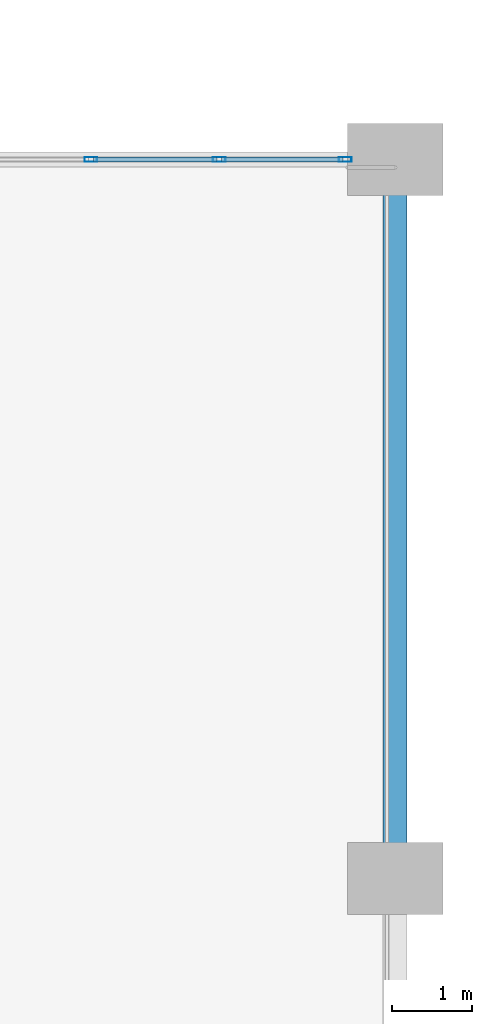
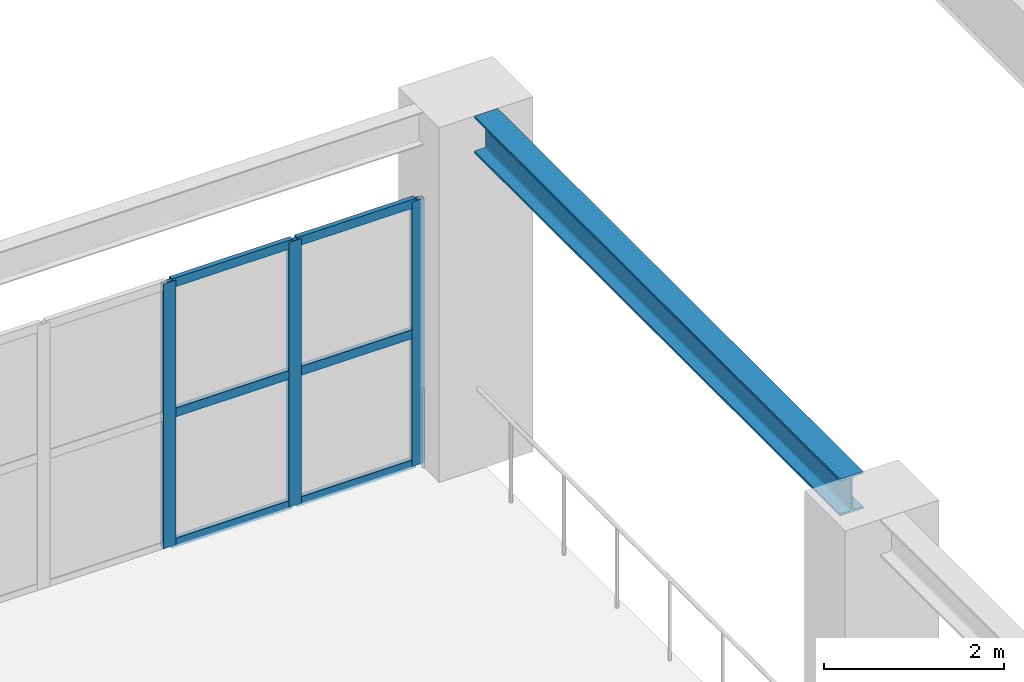
# One storey, part 49 of 89: 9 members, 1 beam, 1 element without a shape of its own.
"""IFC4 building model written with IfcOpenShell, lengths in metres."""

from ifc_helpers import new_model, si_unit, direction, frame, origin, origin_2d, place, context, subcontext, project, spatial, hollow_rectangle, i_section, extrude, material, layer, layer_set, material_profile, profile_set, type_object, element, aggregate, save


model = new_model("IFC4")

# Units and contexts
model_context = context("Model", 3, precision=1e-05, world=origin(), true_north=direction((0.0, 1.0)))
body_context = subcontext(model_context, "Body", "Model", "MODEL_VIEW")
ifc_project = project(units=[si_unit("LENGTHUNIT", "METRE"), si_unit("AREAUNIT", "SQUARE_METRE"), si_unit("VOLUMEUNIT", "CUBIC_METRE"), si_unit("PLANEANGLEUNIT", "RADIAN"), si_unit("MASSUNIT", "GRAM", prefix="KILO")], contexts=[model_context])

# Site, building, storey
site_placement = place(None, origin())
site = spatial("IfcSite", under=ifc_project, at=site_placement, CompositionType="ELEMENT")
building_placement = place(site_placement, origin())
building = spatial("IfcBuilding", under=site, at=building_placement, Name="Dornveld Trade and Exhibition Forum", CompositionType="ELEMENT")
storey_placement = place(building_placement, frame((0.0, 0.0, 12.0)))
storey = spatial("IfcBuildingStorey", under=building, at=storey_placement, Name="L02", CompositionType="ELEMENT", Elevation=12.0)

# Beam
ifc_material_1 = material(Name="Steel S355J2", Category="steel")
ifc_material_profile_1 = material_profile(ifc_material_1, i_section(OverallWidth=0.300048828125, OverallDepth=0.5, WebThickness=0.014404296875, FlangeThickness=0.028076171875, FilletRadius=0.027099609375, at=origin_2d()), Name="HEB 500")
ifc_profile_set_1 = profile_set([ifc_material_profile_1], Name="Steel S355J2")
beam_type = type_object("IfcBeamType", Name="BM-GIR-HEB500", PredefinedType="USERDEFINED", material=ifc_profile_set_1)
beam_placement = place(storey_placement, frame((81.0, 126.446044921875, 4.550048828125), z_axis=(0.0, 1.0, 0.0), x_axis=(-1.0, 0.0, 0.0)))
element("IfcBeam", 1, at=beam_placement, inside=storey, type_object=beam_type, Name="L02 Y-girder 1466", ObjectType="GIRDER", PredefinedType="USERDEFINED", context=body_context, shape_type="SweptSolid", body=[
    extrude(i_section(OverallWidth=0.300048828125, OverallDepth=0.5, WebThickness=0.014404296875, FlangeThickness=0.028076171875, FilletRadius=0.027099609375, at=origin_2d()), origin(), (0.0, 0.0, 1.0), 8.10791015625),
])

# Curtain wall, members
ifc_material_2 = material(Name="Dark-bronze anodised aluminium and low-E glass", Category="aluminium")
ifc_layer = layer(ifc_material_2, 0.177978515625)
ifc_layer_set = layer_set([ifc_layer], Name="Dark-bronze anodised aluminium and low-E glass")
curtain_wall_type = type_object("IfcCurtainWallType", Name="CW-SYS-12", PredefinedType="USERDEFINED", material=ifc_layer_set)
curtain_wall_placement = place(storey_placement, origin())
curtain_wall = element("IfcCurtainWall", 2, at=curtain_wall_placement, inside=storey, type_object=curtain_wall_type, Name="L02 unitised curtain wall 30", ObjectType="UNITISED_CURTAIN_WALL", PredefinedType="USERDEFINED")
ifc_material_3 = material(Name="Dark-bronze anodised aluminium", Category="aluminium")
ifc_material_profile_2 = material_profile(ifc_material_3, hollow_rectangle(XDim=0.06005859375, YDim=0.159912109375, WallThickness=0.00390625, at=origin_2d()), Name="RHS 160x60x4")
ifc_profile_set_2 = profile_set([ifc_material_profile_2], Name="Dark-bronze anodised aluminium")
member_type_1 = type_object("IfcMemberType", Name="CW-MUL-160", PredefinedType="MULLION", material=ifc_profile_set_2)
member_1_placement = place(storey_placement, frame((80.3740234375, 135.0, -0.00390625), z_axis=(0.0, 0.0, 1.0), x_axis=(0.0, -1.0, 0.0)))
member_1 = element("IfcMember", 3, at=member_1_placement, type_object=member_type_1, Name="CW-12 mullion 1", PredefinedType="MULLION", context=body_context, shape_type="SweptSolid", body=[
    extrude(hollow_rectangle(XDim=0.06005859375, YDim=0.159912109375, WallThickness=0.00390625, at=origin_2d()), origin(), (0.0, 0.0, 1.0), 3.583984375),
])
member_2_placement = place(storey_placement, frame((78.79736328125, 135.0, -0.00390625), z_axis=(0.0, 0.0, 1.0), x_axis=(0.0, -1.0, 0.0)))
member_2 = element("IfcMember", 4, at=member_2_placement, type_object=member_type_1, Name="CW-12 mullion 2", PredefinedType="MULLION", context=body_context, shape_type="SweptSolid", body=[
    extrude(hollow_rectangle(XDim=0.06005859375, YDim=0.159912109375, WallThickness=0.00390625, at=origin_2d()), origin(), (0.0, 0.0, 1.0), 3.583984375),
])
member_3_placement = place(storey_placement, frame((77.19091796875, 135.0, -0.00390625), z_axis=(0.0, 0.0, 1.0), x_axis=(0.0, -1.0, 0.0)))
member_3 = element("IfcMember", 5, at=member_3_placement, type_object=member_type_1, Name="CW-12 mullion 3", PredefinedType="MULLION", context=body_context, shape_type="SweptSolid", body=[
    extrude(hollow_rectangle(XDim=0.06005859375, YDim=0.159912109375, WallThickness=0.00390625, at=origin_2d()), origin(), (0.0, 0.0, 1.0), 3.583984375),
])
ifc_material_4 = material(Name="Dark-bronze anodised aluminium", Category="aluminium")
ifc_material_profile_3 = material_profile(ifc_material_4, hollow_rectangle(XDim=0.06005859375, YDim=0.1201171875, WallThickness=0.00390625, at=origin_2d()), Name="RHS 120x60x4")
ifc_profile_set_3 = profile_set([ifc_material_profile_3], Name="Dark-bronze anodised aluminium")
member_type_2 = type_object("IfcMemberType", Name="CW-TRN-120", PredefinedType="USERDEFINED", material=ifc_profile_set_3)
member_4_placement = place(storey_placement, frame((80.343994140625, 135.0, 0.02587890625), z_axis=(-1.0, 0.0, 0.0), x_axis=(0.0, -1.0, 0.0)))
member_4 = element("IfcMember", 6, at=member_4_placement, type_object=member_type_2, Name="CW-12 transom 1.1", ObjectType="TRANSOM", PredefinedType="USERDEFINED", context=body_context, shape_type="SweptSolid", body=[
    extrude(hollow_rectangle(XDim=0.06005859375, YDim=0.1201171875, WallThickness=0.00390625, at=origin_2d()), origin(), (0.0, 0.0, 1.0), 1.5166015625),
])
member_5_placement = place(storey_placement, frame((80.343994140625, 135.0, 1.7880859375), z_axis=(-1.0, 0.0, 0.0), x_axis=(0.0, -1.0, 0.0)))
member_5 = element("IfcMember", 7, at=member_5_placement, type_object=member_type_2, Name="CW-12 transom 1.2", ObjectType="TRANSOM", PredefinedType="USERDEFINED", context=body_context, shape_type="SweptSolid", body=[
    extrude(hollow_rectangle(XDim=0.06005859375, YDim=0.1201171875, WallThickness=0.00390625, at=origin_2d()), origin(), (0.0, 0.0, 1.0), 1.5166015625),
])
member_6_placement = place(storey_placement, frame((80.343994140625, 135.0, 3.550048828125), z_axis=(-1.0, 0.0, 0.0), x_axis=(0.0, -1.0, 0.0)))
member_6 = element("IfcMember", 8, at=member_6_placement, type_object=member_type_2, Name="CW-12 transom 1.3", ObjectType="TRANSOM", PredefinedType="USERDEFINED", context=body_context, shape_type="SweptSolid", body=[
    extrude(hollow_rectangle(XDim=0.06005859375, YDim=0.1201171875, WallThickness=0.00390625, at=origin_2d()), origin(), (0.0, 0.0, 1.0), 1.5166015625),
])
member_7_placement = place(storey_placement, frame((78.767333984375, 135.0, 0.02587890625), z_axis=(-1.0, 0.0, 0.0), x_axis=(0.0, -1.0, 0.0)))
member_7 = element("IfcMember", 9, at=member_7_placement, type_object=member_type_2, Name="CW-12 transom 2.1", ObjectType="TRANSOM", PredefinedType="USERDEFINED", context=body_context, shape_type="SweptSolid", body=[
    extrude(hollow_rectangle(XDim=0.06005859375, YDim=0.1201171875, WallThickness=0.00390625, at=origin_2d()), origin(), (0.0, 0.0, 1.0), 1.546630859375),
])
member_8_placement = place(storey_placement, frame((78.767333984375, 135.0, 1.7880859375), z_axis=(-1.0, 0.0, 0.0), x_axis=(0.0, -1.0, 0.0)))
member_8 = element("IfcMember", 10, at=member_8_placement, type_object=member_type_2, Name="CW-12 transom 2.2", ObjectType="TRANSOM", PredefinedType="USERDEFINED", context=body_context, shape_type="SweptSolid", body=[
    extrude(hollow_rectangle(XDim=0.06005859375, YDim=0.1201171875, WallThickness=0.00390625, at=origin_2d()), origin(), (0.0, 0.0, 1.0), 1.546630859375),
])
member_9_placement = place(storey_placement, frame((78.767333984375, 135.0, 3.550048828125), z_axis=(-1.0, 0.0, 0.0), x_axis=(0.0, -1.0, 0.0)))
member_9 = element("IfcMember", 11, at=member_9_placement, type_object=member_type_2, Name="CW-12 transom 2.3", ObjectType="TRANSOM", PredefinedType="USERDEFINED", context=body_context, shape_type="SweptSolid", body=[
    extrude(hollow_rectangle(XDim=0.06005859375, YDim=0.1201171875, WallThickness=0.00390625, at=origin_2d()), origin(), (0.0, 0.0, 1.0), 1.546630859375),
])
aggregate(curtain_wall, [member_1, member_2, member_3, member_4, member_5, member_6, member_7, member_8, member_9])

save(model, "model.ifc")
